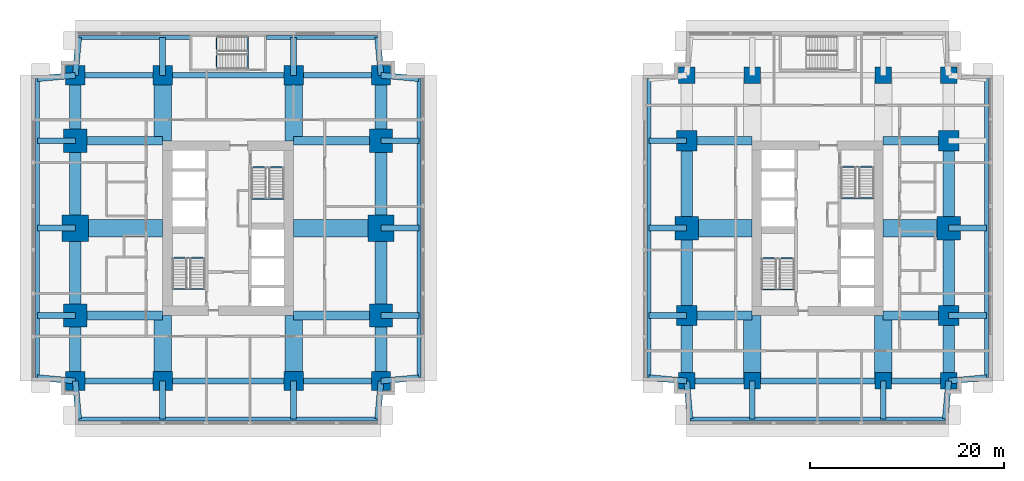
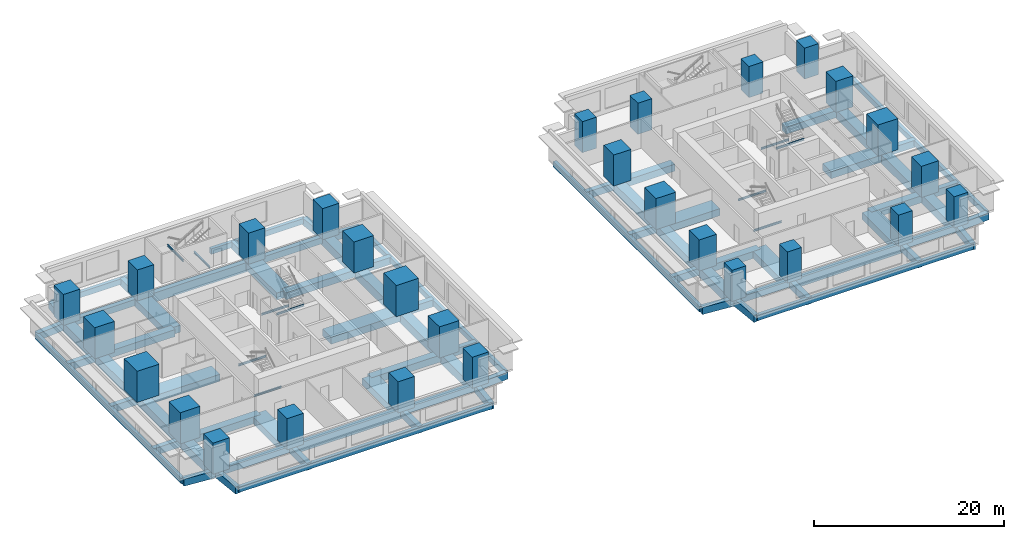
# One storey, part 1 of 11: 88 beams, 28 columns.
"""IFC4 building model written with IfcOpenShell, lengths in metres."""

import ifcopenshell
import ifcopenshell.guid

model = None  # the IFC model being written
_history = None  # IfcOwnerHistory: only IFC2X3 demands one
_inside = {}  # id of a spatial element -> (the spatial element, [elements in it])
_under = {}  # id of a project, library or spatial element -> (it, [spatial elements below it])
_declared = {}  # id of a project -> (the project, [libraries it declares])
_typed = {}  # id of a type object -> (the type object, [elements of that type])
_made_of = {}  # id of a material, layer set ... -> (it, [elements and type objects made of it])


def new_model(schema):
    """Start an empty IFC model of exactly this schema.

    Asked for "IFC4X3", IfcOpenShell would pick the latest addendum, in which some entities
    have other attributes; the version numbers below select the first issue.
    IFC2X3 requires an IfcOwnerHistory on every rooted entity: one is made here for all.
    """
    global model, _history
    if schema == "IFC4X3":
        model = ifcopenshell.file(schema_version=(4, 3, 0, 0))
    else:
        model = ifcopenshell.file(schema=schema)
    _inside.clear()
    _under.clear()
    _declared.clear()
    _typed.clear()
    _made_of.clear()
    _history = None
    if model.schema == "IFC2X3":
        org = make("IfcOrganization", Name="unknown")
        user = make(
            "IfcPersonAndOrganization",
            ThePerson=make("IfcPerson", FamilyName="unknown"),
            TheOrganization=org,
        )
        app = make(
            "IfcApplication",
            ApplicationDeveloper=org,
            Version="unknown",
            ApplicationFullName="unknown",
            ApplicationIdentifier="unknown",
        )
        _history = make(
            "IfcOwnerHistory",
            OwningUser=user,
            OwningApplication=app,
            ChangeAction="ADDED",
            CreationDate=0,
        )
    return model


def make(cls, **values):
    """One entity of the class cls with the attributes given. An attribute that is None is left unset."""
    return model.create_entity(
        cls, **{name: value for name, value in values.items() if value is not None}
    )


def rooted(cls, **values):
    """An entity with a GlobalId (a new one), such as an element, a storey or a relation."""
    return make(cls, GlobalId=ifcopenshell.guid.new(), OwnerHistory=_history, **values)


def si_unit(unit_type, name, prefix=None):
    """IfcSIUnit, for example si_unit("LENGTHUNIT", "METRE", prefix="MILLI")."""
    return make("IfcSIUnit", UnitType=unit_type, Prefix=prefix, Name=name)


def assignment(units):
    """IfcUnitAssignment: the units of a project."""
    return None if units is None else make("IfcUnitAssignment", Units=units)


def point(xyz):
    """IfcCartesianPoint."""
    return None if xyz is None else make("IfcCartesianPoint", Coordinates=xyz)


def direction(xyz):
    """IfcDirection."""
    return None if xyz is None else make("IfcDirection", DirectionRatios=xyz)


def frame(location, z_axis=None, x_axis=None):
    """IfcAxis2Placement3D, a coordinate frame: its origin and axes. An axis left out is left unset."""
    return make(
        "IfcAxis2Placement3D",
        Location=point(location),
        Axis=direction(z_axis),
        RefDirection=direction(x_axis),
    )


def frame_2d(location, x_axis=None):
    """IfcAxis2Placement2D, a coordinate frame in the plane: its origin and x axis."""
    return make(
        "IfcAxis2Placement2D", Location=point(location), RefDirection=direction(x_axis)
    )


def origin():
    """The frame at (0, 0, 0) with its axes left unset."""
    return frame((0.0, 0.0, 0.0))


def origin_2d():
    """The frame at (0, 0) in the plane with its x axis left unset."""
    return frame_2d((0.0, 0.0))


def place(relative_to, where):
    """IfcLocalPlacement: puts the frame where relative to a parent placement (None: the world)."""
    return make(
        "IfcLocalPlacement", PlacementRelTo=relative_to, RelativePlacement=where
    )


def context(
    kind, dimensions, precision=None, world=None, true_north=None, identifier=None
):
    """IfcGeometricRepresentationContext, for example the 3D "Model" context."""
    return make(
        "IfcGeometricRepresentationContext",
        ContextIdentifier=identifier,
        ContextType=kind,
        CoordinateSpaceDimension=dimensions,
        Precision=precision,
        WorldCoordinateSystem=world,
        TrueNorth=true_north,
    )


def subcontext(parent, identifier, kind, view, scale=None):
    """IfcGeometricRepresentationSubContext, for example "Body" below "Model"."""
    return make(
        "IfcGeometricRepresentationSubContext",
        ContextIdentifier=identifier,
        ContextType=kind,
        ParentContext=parent,
        TargetScale=scale,
        TargetView=view,
    )


def project(units=None, contexts=None):
    """IfcProject with its units and contexts."""
    return rooted(
        "IfcProject",
        Name="project",
        RepresentationContexts=contexts,
        UnitsInContext=assignment(units),
    )


def spatial(cls, under=None, at=None, **own):
    """A site, building, storey or space (cls), placed at a placement, below another one or the project."""
    s = rooted(cls, ObjectPlacement=at, **own)
    if under is not None:
        _under.setdefault(under.id(), (under, []))[1].append(s)
    return s


def profile(cls, at=None, kind="AREA", **sizes):
    """A parametric profile (cls). Its sizes go by their IFC names, for example OverallWidth=200.0."""
    return make(cls, ProfileType=kind, Position=at, **sizes)


def rectangle(**sizes):
    """IfcRectangleProfileDef."""
    return profile("IfcRectangleProfileDef", **sizes)


def i_section(**sizes):
    """IfcIShapeProfileDef."""
    return profile("IfcIShapeProfileDef", **sizes)


def extrude(swept, where, along, depth):
    """IfcExtrudedAreaSolid: the profile swept, set in the frame where, extruded along a direction by depth."""
    return make(
        "IfcExtrudedAreaSolid",
        SweptArea=swept,
        Position=where,
        ExtrudedDirection=direction(along),
        Depth=depth,
    )


def shape(context_of_items, identifier, shape_type, items):
    """IfcShapeRepresentation: the items that make up one representation, for example the "Body"."""
    return make(
        "IfcShapeRepresentation",
        ContextOfItems=context_of_items,
        RepresentationIdentifier=identifier,
        RepresentationType=shape_type,
        Items=items,
    )


def material(Name=None, Category=None):
    """IfcMaterial."""
    return make("IfcMaterial", Name=Name, Category=Category)


def material_profile(
    of_material, cross_section, Name=None, Category=None, Priority=None
):
    """IfcMaterialProfile: a cross section and its material."""
    return make(
        "IfcMaterialProfile",
        Name=Name,
        Material=of_material,
        Profile=cross_section,
        Priority=Priority,
        Category=Category,
    )


def profile_set(profiles, Name=None, composite=None):
    """IfcMaterialProfileSet."""
    return make(
        "IfcMaterialProfileSet",
        Name=Name,
        MaterialProfiles=profiles,
        CompositeProfile=composite,
    )


def made_of(thing, what):
    """Note that an element or type object is made of a material, layer set ...; save() writes the relation."""
    if what is not None:
        _made_of.setdefault(what.id(), (what, []))[1].append(thing)
    return thing


def type_object(cls, material=None, **own):
    """A type object (cls), such as IfcWallType, which elements share."""
    return made_of(rooted(cls, **own), material)


def element(
    cls,
    number,
    at=None,
    inside=None,
    cuts=None,
    type_object=None,
    material=None,
    context=None,
    identifier="Body",
    shape_type=None,
    held_by="IfcProductDefinitionShape",
    body=None,
    shapes=None,
    **own,
):
    """One element of the class cls, such as IfcWall. Its Tag is "e" and its number.

    at: its placement. inside: the storey or other place that contains it. cuts: it is an
    opening in that element (IfcRelVoidsElement). A single representation is given by context,
    identifier, shape_type and body (its items); several are given by shapes. held_by: the class
    of the entity that holds the representations. save() writes the other relations.
    """
    e = rooted(cls, Tag="e%d" % number, ObjectPlacement=at, **own)
    if body is not None:
        shapes = [shape(context, identifier, shape_type, body)]
    if shapes is not None:
        e.Representation = make(held_by, Representations=shapes)
    if inside is not None:
        _inside.setdefault(inside.id(), (inside, []))[1].append(e)
    if cuts is not None:
        rooted(
            "IfcRelVoidsElement", RelatingBuildingElement=cuts, RelatedOpeningElement=e
        )
    if type_object is not None:
        _typed.setdefault(type_object.id(), (type_object, []))[1].append(e)
    return made_of(e, material)


def aggregate(whole, parts):
    """IfcRelAggregates: a whole, such as a stair, and the parts it consists of."""
    return rooted("IfcRelAggregates", RelatingObject=whole, RelatedObjects=parts)


def save(model, path):
    """Write the relations noted so far, then the file.

    IfcRelAggregates (storeys below a building ...), IfcRelContainedInSpatialStructure (elements
    in a storey), IfcRelDefinesByType, IfcRelAssociatesMaterial and IfcRelDeclares: one each for
    every whole, place, type object, material and project.
    """
    for whole, parts in _under.values():
        aggregate(whole, parts)
    for where, things in _inside.values():
        rooted(
            "IfcRelContainedInSpatialStructure",
            RelatedElements=things,
            RelatingStructure=where,
        )
    for kind, things in _typed.values():
        rooted("IfcRelDefinesByType", RelatedObjects=things, RelatingType=kind)
    for what, things in _made_of.values():
        rooted("IfcRelAssociatesMaterial", RelatedObjects=things, RelatingMaterial=what)
    for by, libraries in _declared.values():
        rooted("IfcRelDeclares", RelatingContext=by, RelatedDefinitions=libraries)
    model.write(path)


model = new_model("IFC4")

# Units and contexts
model_context = context("Model", 3, precision=1e-05, world=origin(), true_north=direction((0.0, 1.0)))
body_context = subcontext(model_context, "Body", "Model", "MODEL_VIEW")
ifc_project = project(units=[si_unit("LENGTHUNIT", "METRE"), si_unit("AREAUNIT", "SQUARE_METRE"), si_unit("VOLUMEUNIT", "CUBIC_METRE"), si_unit("PLANEANGLEUNIT", "RADIAN"), si_unit("MASSUNIT", "GRAM", prefix="KILO")], contexts=[model_context])

# Site, building, storey
site_placement = place(None, origin())
site = spatial("IfcSite", under=ifc_project, at=site_placement, CompositionType="ELEMENT")
building_placement = place(site_placement, origin())
building = spatial("IfcBuilding", under=site, at=building_placement, Name="Namib Vertical Campus", CompositionType="ELEMENT")
storey_placement = place(building_placement, frame((0.0, 0.0, 69.0)))
storey = spatial("IfcBuildingStorey", under=building, at=storey_placement, Name="L16", CompositionType="ELEMENT", Elevation=69.0)

# Columns
ifc_material_1 = material(Name="Concrete C60/75", Category="concrete")
ifc_material_profile_1 = material_profile(ifc_material_1, rectangle(XDim=1.699951171875, YDim=1.699951171875, at=origin_2d()))
ifc_profile_set_1 = profile_set([ifc_material_profile_1], Name="Concrete C60/75")
column_type_1 = type_object("IfcColumnType", Name="Column RC 1700x1700", PredefinedType="COLUMN", material=ifc_profile_set_1)
for number, where, z_axis, x_axis, name in (
    (1, (67.5, 4.5, 0.0), (0.0, 0.0, 1.0), (1.0, 0.0, 0.0), "Column C170 L16"),
    (2, (74.25, 4.5, 0.0), (0.0, 0.0, 1.0), (1.0, 0.0, 0.0), "Column C170 L16"),
    (3, (87.75, 4.5, 0.0), (0.0, 0.0, 1.0), (1.0, 0.0, 0.0), "Column C170 L16"),
    (4, (94.5, 4.5, 0.0), (0.0, 0.0, 1.0), (1.0, 0.0, 0.0), "Column C170 L16"),
    (5, (67.5, 36.0, 0.0), (0.0, 0.0, 1.0), (1.0, 0.0, 0.0), "Column C170 L16"),
    (6, (74.25, 36.0, 0.0), (0.0, 0.0, 1.0), (1.0, 0.0, 0.0), "Column C170 L16"),
    (7, (87.75, 36.0, 0.0), (0.0, 0.0, 1.0), (1.0, 0.0, 0.0), "Column C170 L16"),
    (8, (94.5, 36.0, 0.0), (0.0, 0.0, 1.0), (1.0, 0.0, 0.0), "Column C170 L16"),
):
    element("IfcColumn", number, at=place(storey_placement, frame(where, z_axis=z_axis, x_axis=x_axis)), inside=storey, type_object=column_type_1, Name=name, PredefinedType="COLUMN", context=body_context, shape_type="SweptSolid", body=[
        extrude(rectangle(XDim=1.699951171875, YDim=1.699951171875, at=origin_2d()), origin(), (0.0, 0.0, 1.0), 4.0),
    ])
ifc_material_2 = material(Name="Concrete C60/75", Category="concrete")
ifc_material_profile_2 = material_profile(ifc_material_2, rectangle(XDim=2.0, YDim=2.0, at=origin_2d()))
ifc_profile_set_2 = profile_set([ifc_material_profile_2], Name="Concrete C60/75")
column_type_2 = type_object("IfcColumnType", Name="Column RC 2000x2000", PredefinedType="COLUMN", material=ifc_profile_set_2)
for number, where, z_axis, x_axis, name in (
    (9, (4.5, 4.5, 0.0), (0.0, 0.0, 1.0), (1.0, 0.0, 0.0), "Column C200 L16"),
    (10, (13.5, 4.5, 0.0), (0.0, 0.0, 1.0), (1.0, 0.0, 0.0), "Column C200 L16"),
    (11, (27.0, 4.5, 0.0), (0.0, 0.0, 1.0), (1.0, 0.0, 0.0), "Column C200 L16"),
    (12, (36.0, 4.5, 0.0), (0.0, 0.0, 1.0), (1.0, 0.0, 0.0), "Column C200 L16"),
    (13, (4.5, 36.0, 0.0), (0.0, 0.0, 1.0), (1.0, 0.0, 0.0), "Column C200 L16"),
    (14, (13.5, 36.0, 0.0), (0.0, 0.0, 1.0), (1.0, 0.0, 0.0), "Column C200 L16"),
    (15, (27.0, 36.0, 0.0), (0.0, 0.0, 1.0), (1.0, 0.0, 0.0), "Column C200 L16"),
    (16, (36.0, 36.0, 0.0), (0.0, 0.0, 1.0), (1.0, 0.0, 0.0), "Column C200 L16"),
):
    element("IfcColumn", number, at=place(storey_placement, frame(where, z_axis=z_axis, x_axis=x_axis)), inside=storey, type_object=column_type_2, Name=name, PredefinedType="COLUMN", context=body_context, shape_type="SweptSolid", body=[
        extrude(rectangle(XDim=2.0, YDim=2.0, at=origin_2d()), origin(), (0.0, 0.0, 1.0), 4.0),
    ])
ifc_material_3 = material(Name="Concrete C60/75", Category="concrete")
ifc_material_profile_3 = material_profile(ifc_material_3, rectangle(XDim=2.10009765625, YDim=2.10009765625, at=origin_2d()))
ifc_profile_set_3 = profile_set([ifc_material_profile_3], Name="Concrete C60/75")
column_type_3 = type_object("IfcColumnType", Name="Column RC 2100x2100", PredefinedType="COLUMN", material=ifc_profile_set_3)
for number, where, z_axis, x_axis, name in (
    (17, (67.5, 11.25, 0.0), (0.0, 0.0, 1.0), (1.0, 0.0, 0.0), "Column C210 L16"),
    (18, (94.5, 11.25, 0.0), (0.0, 0.0, 1.0), (1.0, 0.0, 0.0), "Column C210 L16"),
    (19, (67.5, 29.25, 0.0), (0.0, 0.0, 1.0), (1.0, 0.0, 0.0), "Column C210 L16"),
    (20, (94.5, 29.25, 0.0), (0.0, 0.0, 1.0), (1.0, 0.0, 0.0), "Column C210 L16"),
):
    element("IfcColumn", number, at=place(storey_placement, frame(where, z_axis=z_axis, x_axis=x_axis)), inside=storey, type_object=column_type_3, Name=name, PredefinedType="COLUMN", context=body_context, shape_type="SweptSolid", body=[
        extrude(rectangle(XDim=2.10009765625, YDim=2.10009765625, at=origin_2d()), origin(), (0.0, 0.0, 1.0), 4.0),
    ])
ifc_material_4 = material(Name="Concrete C60/75", Category="concrete")
ifc_material_profile_4 = material_profile(ifc_material_4, rectangle(XDim=2.39990234375, YDim=2.39990234375, at=origin_2d()))
ifc_profile_set_4 = profile_set([ifc_material_profile_4], Name="Concrete C60/75")
column_type_4 = type_object("IfcColumnType", Name="Column RC 2400x2400", PredefinedType="COLUMN", material=ifc_profile_set_4)
for number, where, z_axis, x_axis, name in (
    (21, (4.5, 11.25, 0.0), (0.0, 0.0, 1.0), (1.0, 0.0, 0.0), "Column C240 L16"),
    (22, (36.0, 11.25, 0.0), (0.0, 0.0, 1.0), (1.0, 0.0, 0.0), "Column C240 L16"),
    (23, (4.5, 29.25, 0.0), (0.0, 0.0, 1.0), (1.0, 0.0, 0.0), "Column C240 L16"),
    (24, (36.0, 29.25, 0.0), (0.0, 0.0, 1.0), (1.0, 0.0, 0.0), "Column C240 L16"),
    (25, (67.5, 20.25, 0.0), (0.0, 0.0, 1.0), (1.0, 0.0, 0.0), "Column C240 L16"),
    (26, (94.5, 20.25, 0.0), (0.0, 0.0, 1.0), (1.0, 0.0, 0.0), "Column C240 L16"),
):
    element("IfcColumn", number, at=place(storey_placement, frame(where, z_axis=z_axis, x_axis=x_axis)), inside=storey, type_object=column_type_4, Name=name, PredefinedType="COLUMN", context=body_context, shape_type="SweptSolid", body=[
        extrude(rectangle(XDim=2.39990234375, YDim=2.39990234375, at=origin_2d()), origin(), (0.0, 0.0, 1.0), 4.0),
    ])
ifc_material_5 = material(Name="Concrete C60/75", Category="concrete")
ifc_material_profile_5 = material_profile(ifc_material_5, rectangle(XDim=2.699951171875, YDim=2.699951171875, at=origin_2d()))
ifc_profile_set_5 = profile_set([ifc_material_profile_5], Name="Concrete C60/75")
column_type_5 = type_object("IfcColumnType", Name="Column RC 2700x2700", PredefinedType="COLUMN", material=ifc_profile_set_5)
for number, where, z_axis, x_axis, name in (
    (27, (4.5, 20.25, 0.0), (0.0, 0.0, 1.0), (1.0, 0.0, 0.0), "Column C270 L16"),
    (28, (36.0, 20.25, 0.0), (0.0, 0.0, 1.0), (1.0, 0.0, 0.0), "Column C270 L16"),
):
    element("IfcColumn", number, at=place(storey_placement, frame(where, z_axis=z_axis, x_axis=x_axis)), inside=storey, type_object=column_type_5, Name=name, PredefinedType="COLUMN", context=body_context, shape_type="SweptSolid", body=[
        extrude(rectangle(XDim=2.699951171875, YDim=2.699951171875, at=origin_2d()), origin(), (0.0, 0.0, 1.0), 4.0),
    ])

# Beams
ifc_material_6 = material(Name="Concrete C40/50", Category="concrete")
ifc_material_profile_6 = material_profile(ifc_material_6, rectangle(XDim=0.60009765625, YDim=0.89990234375, at=origin_2d()))
ifc_profile_set_6 = profile_set([ifc_material_profile_6], Name="Concrete C40/50")
beam_type_1 = type_object("IfcBeamType", Name="Cantilever girder RC 600x900", PredefinedType="BEAM", material=ifc_profile_set_6)
beam_1_placement = place(storey_placement, frame((4.5, 4.5, -0.699951171875), z_axis=(0.089411326146, -0.995994786511, 0.0), x_axis=(0.995994786511, 0.089411326146, 0.0)))
element("IfcBeam", 29, at=beam_1_placement, inside=storey, type_object=beam_type_1, Name="Beam B3 L16", PredefinedType="BEAM", context=body_context, shape_type="SweptSolid", body=[
    extrude(rectangle(XDim=0.60009765625, YDim=0.89990234375, at=origin_2d()), origin(), (0.0, 0.0, 1.0), 3.91552734375),
])
for number, where, z_axis, x_axis, name in (
    (30, (13.5, 4.5, -0.699951171875), (0.0, -1.0, 0.0), (1.0, 0.0, 0.0), "Beam B3 L16"),
    (31, (27.0, 4.5, -0.699951171875), (0.0, -1.0, 0.0), (1.0, 0.0, 0.0), "Beam B3 L16"),
):
    element("IfcBeam", number, at=place(storey_placement, frame(where, z_axis=z_axis, x_axis=x_axis)), inside=storey, type_object=beam_type_1, Name=name, PredefinedType="BEAM", context=body_context, shape_type="SweptSolid", body=[
        extrude(rectangle(XDim=0.60009765625, YDim=0.89990234375, at=origin_2d()), origin(), (0.0, 0.0, 1.0), 3.89990234375),
    ])
for number, where, z_axis, x_axis, name in (
    (32, (36.0, 4.5, -0.699951171875), (-0.089411326146, -0.995994786511, 0.0), (0.995994786511, -0.089411326146, 0.0), "Beam B3 L16"),
    (33, (4.5, 36.0, -0.699951171875), (0.089411326146, 0.995994786511, 0.0), (-0.995994786511, 0.089411326146, 0.0), "Beam B3 L16"),
):
    element("IfcBeam", number, at=place(storey_placement, frame(where, z_axis=z_axis, x_axis=x_axis)), inside=storey, type_object=beam_type_1, Name=name, PredefinedType="BEAM", context=body_context, shape_type="SweptSolid", body=[
        extrude(rectangle(XDim=0.60009765625, YDim=0.89990234375, at=origin_2d()), origin(), (0.0, 0.0, 1.0), 3.91552734375),
    ])
for number, where, z_axis, x_axis, name in (
    (34, (13.5, 36.0, -0.699951171875), (0.0, 1.0, 0.0), (-1.0, 0.0, 0.0), "Beam B3 L16"),
    (35, (27.0, 36.0, -0.699951171875), (0.0, 1.0, 0.0), (-1.0, 0.0, 0.0), "Beam B3 L16"),
):
    element("IfcBeam", number, at=place(storey_placement, frame(where, z_axis=z_axis, x_axis=x_axis)), inside=storey, type_object=beam_type_1, Name=name, PredefinedType="BEAM", context=body_context, shape_type="SweptSolid", body=[
        extrude(rectangle(XDim=0.60009765625, YDim=0.89990234375, at=origin_2d()), origin(), (0.0, 0.0, 1.0), 3.89990234375),
    ])
for number, where, z_axis, x_axis, name in (
    (36, (36.0, 36.0, -0.699951171875), (-0.089411326146, 0.995994786511, 0.0), (-0.995994786511, -0.089411326146, 0.0), "Beam B3 L16"),
    (37, (4.5, 4.5, -0.699951171875), (-0.995994786511, 0.089411326146, 0.0), (-0.089411326146, -0.995994786511, 0.0), "Beam B3 L16"),
):
    element("IfcBeam", number, at=place(storey_placement, frame(where, z_axis=z_axis, x_axis=x_axis)), inside=storey, type_object=beam_type_1, Name=name, PredefinedType="BEAM", context=body_context, shape_type="SweptSolid", body=[
        extrude(rectangle(XDim=0.60009765625, YDim=0.89990234375, at=origin_2d()), origin(), (0.0, 0.0, 1.0), 3.91552734375),
    ])
for number, where, z_axis, x_axis, name in (
    (38, (4.5, 11.25, -0.699951171875), (-1.0, 0.0, 0.0), (0.0, -1.0, 0.0), "Beam B3 L16"),
    (39, (4.5, 20.25, -0.699951171875), (-1.0, 0.0, 0.0), (0.0, -1.0, 0.0), "Beam B3 L16"),
    (40, (4.5, 29.25, -0.699951171875), (-1.0, 0.0, 0.0), (0.0, -1.0, 0.0), "Beam B3 L16"),
):
    element("IfcBeam", number, at=place(storey_placement, frame(where, z_axis=z_axis, x_axis=x_axis)), inside=storey, type_object=beam_type_1, Name=name, PredefinedType="BEAM", context=body_context, shape_type="SweptSolid", body=[
        extrude(rectangle(XDim=0.60009765625, YDim=0.89990234375, at=origin_2d()), origin(), (0.0, 0.0, 1.0), 3.89990234375),
    ])
for number, where, z_axis, x_axis, name in (
    (41, (4.5, 36.0, -0.699951171875), (-0.995994786511, -0.089411326146, 0.0), (0.089411326146, -0.995994786511, 0.0), "Beam B3 L16"),
    (42, (36.0, 4.5, -0.699951171875), (0.995994786511, 0.089411326146, 0.0), (-0.089411326146, 0.995994786511, 0.0), "Beam B3 L16"),
):
    element("IfcBeam", number, at=place(storey_placement, frame(where, z_axis=z_axis, x_axis=x_axis)), inside=storey, type_object=beam_type_1, Name=name, PredefinedType="BEAM", context=body_context, shape_type="SweptSolid", body=[
        extrude(rectangle(XDim=0.60009765625, YDim=0.89990234375, at=origin_2d()), origin(), (0.0, 0.0, 1.0), 3.91552734375),
    ])
for number, where, z_axis, x_axis, name in (
    (43, (36.0, 11.25, -0.699951171875), (1.0, 0.0, 0.0), (0.0, 1.0, 0.0), "Beam B3 L16"),
    (44, (36.0, 20.25, -0.699951171875), (1.0, 0.0, 0.0), (0.0, 1.0, 0.0), "Beam B3 L16"),
    (45, (36.0, 29.25, -0.699951171875), (1.0, 0.0, 0.0), (0.0, 1.0, 0.0), "Beam B3 L16"),
):
    element("IfcBeam", number, at=place(storey_placement, frame(where, z_axis=z_axis, x_axis=x_axis)), inside=storey, type_object=beam_type_1, Name=name, PredefinedType="BEAM", context=body_context, shape_type="SweptSolid", body=[
        extrude(rectangle(XDim=0.60009765625, YDim=0.89990234375, at=origin_2d()), origin(), (0.0, 0.0, 1.0), 3.89990234375),
    ])
for number, where, z_axis, x_axis, name in (
    (46, (36.0, 36.0, -0.699951171875), (0.995994786511, -0.089411326146, 0.0), (0.089411326146, 0.995994786511, 0.0), "Beam B3 L16"),
    (47, (67.5, 4.5, -0.699951171875), (0.089411326146, -0.995994786511, 0.0), (0.995994786511, 0.089411326146, 0.0), "Beam B3 L16"),
):
    element("IfcBeam", number, at=place(storey_placement, frame(where, z_axis=z_axis, x_axis=x_axis)), inside=storey, type_object=beam_type_1, Name=name, PredefinedType="BEAM", context=body_context, shape_type="SweptSolid", body=[
        extrude(rectangle(XDim=0.60009765625, YDim=0.89990234375, at=origin_2d()), origin(), (0.0, 0.0, 1.0), 3.91552734375),
    ])
for number, where, z_axis, x_axis, name in (
    (48, (74.25, 4.5, -0.699951171875), (0.0, -1.0, 0.0), (1.0, 0.0, 0.0), "Beam B3 L16"),
    (49, (87.75, 4.5, -0.699951171875), (0.0, -1.0, 0.0), (1.0, 0.0, 0.0), "Beam B3 L16"),
):
    element("IfcBeam", number, at=place(storey_placement, frame(where, z_axis=z_axis, x_axis=x_axis)), inside=storey, type_object=beam_type_1, Name=name, PredefinedType="BEAM", context=body_context, shape_type="SweptSolid", body=[
        extrude(rectangle(XDim=0.60009765625, YDim=0.89990234375, at=origin_2d()), origin(), (0.0, 0.0, 1.0), 3.89990234375),
    ])
for number, where, z_axis, x_axis, name in (
    (50, (94.5, 4.5, -0.699951171875), (-0.089411326146, -0.995994786511, 0.0), (0.995994786511, -0.089411326146, 0.0), "Beam B3 L16"),
    (51, (67.5, 4.5, -0.699951171875), (-0.995994786511, 0.089411326146, 0.0), (-0.089411326146, -0.995994786511, 0.0), "Beam B3 L16"),
):
    element("IfcBeam", number, at=place(storey_placement, frame(where, z_axis=z_axis, x_axis=x_axis)), inside=storey, type_object=beam_type_1, Name=name, PredefinedType="BEAM", context=body_context, shape_type="SweptSolid", body=[
        extrude(rectangle(XDim=0.60009765625, YDim=0.89990234375, at=origin_2d()), origin(), (0.0, 0.0, 1.0), 3.91552734375),
    ])
for number, where, z_axis, x_axis, name in (
    (52, (67.5, 11.25, -0.699951171875), (-1.0, 0.0, 0.0), (0.0, -1.0, 0.0), "Beam B3 L16"),
    (53, (67.5, 20.25, -0.699951171875), (-1.0, 0.0, 0.0), (0.0, -1.0, 0.0), "Beam B3 L16"),
    (54, (67.5, 29.25, -0.699951171875), (-1.0, 0.0, 0.0), (0.0, -1.0, 0.0), "Beam B3 L16"),
):
    element("IfcBeam", number, at=place(storey_placement, frame(where, z_axis=z_axis, x_axis=x_axis)), inside=storey, type_object=beam_type_1, Name=name, PredefinedType="BEAM", context=body_context, shape_type="SweptSolid", body=[
        extrude(rectangle(XDim=0.60009765625, YDim=0.89990234375, at=origin_2d()), origin(), (0.0, 0.0, 1.0), 3.89990234375),
    ])
beam_2_placement = place(storey_placement, frame((94.5, 4.5, -0.699951171875), z_axis=(0.995994786511, 0.089411326146, 0.0), x_axis=(-0.089411326146, 0.995994786511, 0.0)))
element("IfcBeam", 55, at=beam_2_placement, inside=storey, type_object=beam_type_1, Name="Beam B3 L16", PredefinedType="BEAM", context=body_context, shape_type="SweptSolid", body=[
    extrude(rectangle(XDim=0.60009765625, YDim=0.89990234375, at=origin_2d()), origin(), (0.0, 0.0, 1.0), 3.91552734375),
])
for number, where, z_axis, x_axis, name in (
    (56, (94.5, 11.25, -0.699951171875), (1.0, 0.0, 0.0), (0.0, 1.0, 0.0), "Beam B3 L16"),
    (57, (94.5, 20.25, -0.699951171875), (1.0, 0.0, 0.0), (0.0, 1.0, 0.0), "Beam B3 L16"),
):
    element("IfcBeam", number, at=place(storey_placement, frame(where, z_axis=z_axis, x_axis=x_axis)), inside=storey, type_object=beam_type_1, Name=name, PredefinedType="BEAM", context=body_context, shape_type="SweptSolid", body=[
        extrude(rectangle(XDim=0.60009765625, YDim=0.89990234375, at=origin_2d()), origin(), (0.0, 0.0, 1.0), 3.89990234375),
    ])
ifc_material_7 = material(Name="Concrete C40/50", Category="concrete")
ifc_material_profile_7 = material_profile(ifc_material_7, rectangle(XDim=0.39990234375, YDim=0.699951171875, at=origin_2d()))
ifc_profile_set_7 = profile_set([ifc_material_profile_7], Name="Concrete C40/50")
beam_type_2 = type_object("IfcBeamType", Name="Edge beam RC 400x700", PredefinedType="SPANDREL", material=ifc_profile_set_7)
beam_3_placement = place(storey_placement, frame((4.85009765625, 0.60009765625, -0.60009765625), z_axis=(1.0, 0.0, 0.0), x_axis=(0.0, 1.0, 0.0)))
element("IfcBeam", 58, at=beam_3_placement, inside=storey, type_object=beam_type_2, Name="Beam B4 L16", PredefinedType="SPANDREL", context=body_context, shape_type="SweptSolid", body=[
    extrude(rectangle(XDim=0.39990234375, YDim=0.699951171875, at=origin_2d()), origin(), (0.0, 0.0, 1.0), 30.7998046875),
])
for number, where, z_axis, x_axis, name in (
    (59, (4.85009765625, 39.89990234375, -0.60009765625), (1.0, 0.0, 0.0), (0.0, 1.0, 0.0), "Beam B4 L16"),
    (60, (24.199951171875, 39.89990234375, -0.60009765625), (1.0, 0.0, 0.0), (0.0, 1.0, 0.0), "Beam B4 L16"),
):
    element("IfcBeam", number, at=place(storey_placement, frame(where, z_axis=z_axis, x_axis=x_axis)), inside=storey, type_object=beam_type_2, Name=name, PredefinedType="SPANDREL", context=body_context, shape_type="SweptSolid", body=[
        extrude(rectangle(XDim=0.39990234375, YDim=0.699951171875, at=origin_2d()), origin(), (0.0, 0.0, 1.0), 11.449951171875),
    ])
for number, where, z_axis, x_axis, name in (
    (61, (0.60009765625, 4.85009765625, -0.60009765625), (0.0, 1.0, 0.0), (-1.0, 0.0, 0.0), "Beam B4 L16"),
    (62, (39.89990234375, 4.85009765625, -0.60009765625), (0.0, 1.0, 0.0), (-1.0, 0.0, 0.0), "Beam B4 L16"),
):
    element("IfcBeam", number, at=place(storey_placement, frame(where, z_axis=z_axis, x_axis=x_axis)), inside=storey, type_object=beam_type_2, Name=name, PredefinedType="SPANDREL", context=body_context, shape_type="SweptSolid", body=[
        extrude(rectangle(XDim=0.39990234375, YDim=0.699951171875, at=origin_2d()), origin(), (0.0, 0.0, 1.0), 30.7998046875),
    ])
beam_4_placement = place(storey_placement, frame((67.85009765625, 0.60009765625, -0.60009765625), z_axis=(1.0, 0.0, 0.0), x_axis=(0.0, 1.0, 0.0)))
element("IfcBeam", 63, at=beam_4_placement, inside=storey, type_object=beam_type_2, Name="Beam B4 L16", PredefinedType="SPANDREL", context=body_context, shape_type="SweptSolid", body=[
    extrude(rectangle(XDim=0.39990234375, YDim=0.699951171875, at=origin_2d()), origin(), (0.0, 0.0, 1.0), 26.2998046875),
])
for number, where, z_axis, x_axis, name in (
    (64, (63.60009765625, 4.85009765625, -0.60009765625), (0.0, 1.0, 0.0), (-1.0, 0.0, 0.0), "Beam B4 L16"),
    (65, (98.39990234375, 4.85009765625, -0.60009765625), (0.0, 1.0, 0.0), (-1.0, 0.0, 0.0), "Beam B4 L16"),
):
    element("IfcBeam", number, at=place(storey_placement, frame(where, z_axis=z_axis, x_axis=x_axis)), inside=storey, type_object=beam_type_2, Name=name, PredefinedType="SPANDREL", context=body_context, shape_type="SweptSolid", body=[
        extrude(rectangle(XDim=0.39990234375, YDim=0.699951171875, at=origin_2d()), origin(), (0.0, 0.0, 1.0), 30.7998046875),
    ])
ifc_material_8 = material(Name="Concrete C40/50", Category="concrete")
ifc_material_profile_8 = material_profile(ifc_material_8, rectangle(XDim=0.89990234375, YDim=0.89990234375, at=origin_2d()))
ifc_profile_set_8 = profile_set([ifc_material_profile_8], Name="Concrete C40/50")
beam_type_3 = type_object("IfcBeamType", Name="Face girder RC 900x900", PredefinedType="BEAM", material=ifc_profile_set_8)
for number, where, z_axis, x_axis, name in (
    (66, (4.5, 11.25, -0.699951171875), (1.0, 0.0, 0.0), (0.0, 1.0, 0.0), "Beam B10 L16"),
    (67, (36.0, 11.25, -0.699951171875), (-1.0, 0.0, 0.0), (0.0, -1.0, 0.0), "Beam B10 L16"),
    (68, (4.5, 29.25, -0.699951171875), (1.0, 0.0, 0.0), (0.0, 1.0, 0.0), "Beam B10 L16"),
    (69, (36.0, 29.25, -0.699951171875), (-1.0, 0.0, 0.0), (0.0, -1.0, 0.0), "Beam B10 L16"),
):
    element("IfcBeam", number, at=place(storey_placement, frame(where, z_axis=z_axis, x_axis=x_axis)), inside=storey, type_object=beam_type_3, Name=name, PredefinedType="BEAM", context=body_context, shape_type="SweptSolid", body=[
        extrude(rectangle(XDim=0.89990234375, YDim=0.89990234375, at=origin_2d()), origin(), (0.0, 0.0, 1.0), 9.0),
    ])
for number, where, z_axis, x_axis, name in (
    (70, (67.5, 11.25, -0.699951171875), (1.0, 0.0, 0.0), (0.0, 1.0, 0.0), "Beam B10 L16"),
    (71, (94.5, 11.25, -0.699951171875), (-1.0, 0.0, 0.0), (0.0, -1.0, 0.0), "Beam B10 L16"),
    (72, (67.5, 29.25, -0.699951171875), (1.0, 0.0, 0.0), (0.0, 1.0, 0.0), "Beam B10 L16"),
    (73, (94.5, 29.25, -0.699951171875), (-1.0, 0.0, 0.0), (0.0, -1.0, 0.0), "Beam B10 L16"),
):
    element("IfcBeam", number, at=place(storey_placement, frame(where, z_axis=z_axis, x_axis=x_axis)), inside=storey, type_object=beam_type_3, Name=name, PredefinedType="BEAM", context=body_context, shape_type="SweptSolid", body=[
        extrude(rectangle(XDim=0.89990234375, YDim=0.89990234375, at=origin_2d()), origin(), (0.0, 0.0, 1.0), 6.75),
    ])
ifc_material_9 = material(Name="Concrete C40/50", Category="concrete")
ifc_material_profile_9 = material_profile(ifc_material_9, rectangle(XDim=1.199951171875, YDim=1.10009765625, at=origin_2d()))
ifc_profile_set_9 = profile_set([ifc_material_profile_9], Name="Concrete C40/50")
beam_type_4 = type_object("IfcBeamType", Name="Face ring beam RC 1200x1100", PredefinedType="BEAM", material=ifc_profile_set_9)
beam_5_placement = place(storey_placement, frame((4.5, 4.5, -0.800048828125), z_axis=(0.0, 1.0, 0.0), x_axis=(-1.0, 0.0, 0.0)))
element("IfcBeam", 74, at=beam_5_placement, inside=storey, type_object=beam_type_4, Name="Beam B11 L16", PredefinedType="BEAM", context=body_context, shape_type="SweptSolid", body=[
    extrude(rectangle(XDim=1.199951171875, YDim=1.10009765625, at=origin_2d()), origin(), (0.0, 0.0, 1.0), 6.75),
])
for number, where, z_axis, x_axis, name in (
    (75, (4.5, 11.25, -0.800048828125), (0.0, 1.0, 0.0), (-1.0, 0.0, 0.0), "Beam B11 L16"),
    (76, (4.5, 20.25, -0.800048828125), (0.0, 1.0, 0.0), (-1.0, 0.0, 0.0), "Beam B11 L16"),
):
    element("IfcBeam", number, at=place(storey_placement, frame(where, z_axis=z_axis, x_axis=x_axis)), inside=storey, type_object=beam_type_4, Name=name, PredefinedType="BEAM", context=body_context, shape_type="SweptSolid", body=[
        extrude(rectangle(XDim=1.199951171875, YDim=1.10009765625, at=origin_2d()), origin(), (0.0, 0.0, 1.0), 9.0),
    ])
for number, where, z_axis, x_axis, name in (
    (77, (4.5, 29.25, -0.800048828125), (0.0, 1.0, 0.0), (-1.0, 0.0, 0.0), "Beam B11 L16"),
    (78, (36.0, 4.5, -0.800048828125), (0.0, 1.0, 0.0), (-1.0, 0.0, 0.0), "Beam B11 L16"),
):
    element("IfcBeam", number, at=place(storey_placement, frame(where, z_axis=z_axis, x_axis=x_axis)), inside=storey, type_object=beam_type_4, Name=name, PredefinedType="BEAM", context=body_context, shape_type="SweptSolid", body=[
        extrude(rectangle(XDim=1.199951171875, YDim=1.10009765625, at=origin_2d()), origin(), (0.0, 0.0, 1.0), 6.75),
    ])
for number, where, z_axis, x_axis, name in (
    (79, (36.0, 11.25, -0.800048828125), (0.0, 1.0, 0.0), (-1.0, 0.0, 0.0), "Beam B11 L16"),
    (80, (36.0, 20.25, -0.800048828125), (0.0, 1.0, 0.0), (-1.0, 0.0, 0.0), "Beam B11 L16"),
):
    element("IfcBeam", number, at=place(storey_placement, frame(where, z_axis=z_axis, x_axis=x_axis)), inside=storey, type_object=beam_type_4, Name=name, PredefinedType="BEAM", context=body_context, shape_type="SweptSolid", body=[
        extrude(rectangle(XDim=1.199951171875, YDim=1.10009765625, at=origin_2d()), origin(), (0.0, 0.0, 1.0), 9.0),
    ])
for number, where, z_axis, x_axis, name in (
    (81, (36.0, 29.25, -0.800048828125), (0.0, 1.0, 0.0), (-1.0, 0.0, 0.0), "Beam B11 L16"),
    (82, (67.5, 4.5, -0.800048828125), (0.0, 1.0, 0.0), (-1.0, 0.0, 0.0), "Beam B11 L16"),
):
    element("IfcBeam", number, at=place(storey_placement, frame(where, z_axis=z_axis, x_axis=x_axis)), inside=storey, type_object=beam_type_4, Name=name, PredefinedType="BEAM", context=body_context, shape_type="SweptSolid", body=[
        extrude(rectangle(XDim=1.199951171875, YDim=1.10009765625, at=origin_2d()), origin(), (0.0, 0.0, 1.0), 6.75),
    ])
for number, where, z_axis, x_axis, name in (
    (83, (67.5, 11.25, -0.800048828125), (0.0, 1.0, 0.0), (-1.0, 0.0, 0.0), "Beam B11 L16"),
    (84, (67.5, 20.25, -0.800048828125), (0.0, 1.0, 0.0), (-1.0, 0.0, 0.0), "Beam B11 L16"),
):
    element("IfcBeam", number, at=place(storey_placement, frame(where, z_axis=z_axis, x_axis=x_axis)), inside=storey, type_object=beam_type_4, Name=name, PredefinedType="BEAM", context=body_context, shape_type="SweptSolid", body=[
        extrude(rectangle(XDim=1.199951171875, YDim=1.10009765625, at=origin_2d()), origin(), (0.0, 0.0, 1.0), 9.0),
    ])
beam_6_placement = place(storey_placement, frame((94.5, 4.5, -0.800048828125), z_axis=(0.0, 1.0, 0.0), x_axis=(-1.0, 0.0, 0.0)))
element("IfcBeam", 85, at=beam_6_placement, inside=storey, type_object=beam_type_4, Name="Beam B11 L16", PredefinedType="BEAM", context=body_context, shape_type="SweptSolid", body=[
    extrude(rectangle(XDim=1.199951171875, YDim=1.10009765625, at=origin_2d()), origin(), (0.0, 0.0, 1.0), 6.75),
])
for number, where, z_axis, x_axis, name in (
    (86, (94.5, 11.25, -0.800048828125), (0.0, 1.0, 0.0), (-1.0, 0.0, 0.0), "Beam B11 L16"),
    (87, (94.5, 20.25, -0.800048828125), (0.0, 1.0, 0.0), (-1.0, 0.0, 0.0), "Beam B11 L16"),
):
    element("IfcBeam", number, at=place(storey_placement, frame(where, z_axis=z_axis, x_axis=x_axis)), inside=storey, type_object=beam_type_4, Name=name, PredefinedType="BEAM", context=body_context, shape_type="SweptSolid", body=[
        extrude(rectangle(XDim=1.199951171875, YDim=1.10009765625, at=origin_2d()), origin(), (0.0, 0.0, 1.0), 9.0),
    ])
ifc_material_10 = material(Name="Steel S355JR", Category="steel")
ifc_material_profile_10 = material_profile(ifc_material_10, i_section(OverallWidth=0.14599609375, OverallDepth=0.25146484375, WebThickness=0.006103515625, FlangeThickness=0.008544921875, FilletRadius=0.007568359375, at=origin_2d()))
ifc_profile_set_10 = profile_set([ifc_material_profile_10], Name="Steel S355JR")
beam_type_5 = type_object("IfcBeamType", Name="Landing trimmer UB 254x146x31", PredefinedType="BEAM", material=ifc_profile_set_10)
for number, where, z_axis, x_axis, name in (
    (88, (14.5, 13.97705078125, -0.125732421875), (1.0, 0.0, 0.0), (0.0, 1.0, 0.0), "Landing trimmer LT1 A-S1 L16 1"),
    (89, (14.5, 17.203125, 1.874267578125), (1.0, 0.0, 0.0), (0.0, 1.0, 0.0), "Landing trimmer LT1 A-S1 L16 2"),
    (90, (22.64990234375, 26.52294921875, -0.125732421875), (1.0, 0.0, 0.0), (0.0, 1.0, 0.0), "Landing trimmer LT1 A-S2 L16 1"),
    (91, (22.64990234375, 23.296875, 1.874267578125), (1.0, 0.0, 0.0), (0.0, 1.0, 0.0), "Landing trimmer LT1 A-S2 L16 2"),
):
    element("IfcBeam", number, at=place(storey_placement, frame(where, z_axis=z_axis, x_axis=x_axis)), inside=storey, type_object=beam_type_5, Name=name, PredefinedType="BEAM", context=body_context, shape_type="SweptSolid", body=[
        extrude(i_section(OverallWidth=0.14599609375, OverallDepth=0.25146484375, WebThickness=0.006103515625, FlangeThickness=0.008544921875, FilletRadius=0.007568359375, at=origin_2d()), origin(), (0.0, 0.0, 1.0), 3.35009765625),
    ])
for number, where, z_axis, x_axis, name in (
    (92, (75.199951171875, 13.927001953125, -0.125732421875), (1.0, 0.0, 0.0), (0.0, 1.0, 0.0), "Landing trimmer LT1 B-S1 L16 1"),
    (93, (75.199951171875, 17.153076171875, 1.874267578125), (1.0, 0.0, 0.0), (0.0, 1.0, 0.0), "Landing trimmer LT1 B-S1 L16 2"),
    (94, (83.39990234375, 26.572998046875, -0.125732421875), (1.0, 0.0, 0.0), (0.0, 1.0, 0.0), "Landing trimmer LT1 B-S2 L16 1"),
    (95, (83.39990234375, 23.346923828125, 1.874267578125), (1.0, 0.0, 0.0), (0.0, 1.0, 0.0), "Landing trimmer LT1 B-S2 L16 2"),
):
    element("IfcBeam", number, at=place(storey_placement, frame(where, z_axis=z_axis, x_axis=x_axis)), inside=storey, type_object=beam_type_5, Name=name, PredefinedType="BEAM", context=body_context, shape_type="SweptSolid", body=[
        extrude(i_section(OverallWidth=0.14599609375, OverallDepth=0.25146484375, WebThickness=0.006103515625, FlangeThickness=0.008544921875, FilletRadius=0.007568359375, at=origin_2d()), origin(), (0.0, 0.0, 1.0), 3.400146484375),
    ])
for number, where, z_axis, x_axis, name in (
    (96, (22.27294921875, 36.64990234375, -0.125732421875), (0.0, 1.0, 0.0), (-1.0, 0.0, 0.0), "Landing trimmer LT1 A-S3 L16 1"),
    (97, (19.046875, 36.64990234375, 1.874267578125), (0.0, 1.0, 0.0), (-1.0, 0.0, 0.0), "Landing trimmer LT1 A-S3 L16 2"),
):
    element("IfcBeam", number, at=place(storey_placement, frame(where, z_axis=z_axis, x_axis=x_axis)), inside=storey, type_object=beam_type_5, Name=name, PredefinedType="BEAM", context=body_context, shape_type="SweptSolid", body=[
        extrude(i_section(OverallWidth=0.14599609375, OverallDepth=0.25146484375, WebThickness=0.006103515625, FlangeThickness=0.008544921875, FilletRadius=0.007568359375, at=origin_2d()), origin(), (0.0, 0.0, 1.0), 3.35009765625),
    ])
ifc_material_11 = material(Name="Concrete C40/50", Category="concrete")
ifc_material_profile_11 = material_profile(ifc_material_11, rectangle(XDim=0.60009765625, YDim=1.199951171875, at=origin_2d()))
ifc_profile_set_11 = profile_set([ifc_material_profile_11], Name="Concrete C40/50")
beam_type_6 = type_object("IfcBeamType", Name="Long-span ring beam RC 600x1200", PredefinedType="BEAM", material=ifc_profile_set_11)
for number, where, z_axis, x_axis, name in (
    (98, (13.5, 4.5, -0.85009765625), (1.0, 0.0, 0.0), (0.0, 1.0, 0.0), "Beam B9 L16"),
    (99, (13.5, 36.0, -0.85009765625), (1.0, 0.0, 0.0), (0.0, 1.0, 0.0), "Beam B9 L16"),
    (100, (74.25, 4.5, -0.85009765625), (1.0, 0.0, 0.0), (0.0, 1.0, 0.0), "Beam B9 L16"),
):
    element("IfcBeam", number, at=place(storey_placement, frame(where, z_axis=z_axis, x_axis=x_axis)), inside=storey, type_object=beam_type_6, Name=name, PredefinedType="BEAM", context=body_context, shape_type="SweptSolid", body=[
        extrude(rectangle(XDim=0.60009765625, YDim=1.199951171875, at=origin_2d()), origin(), (0.0, 0.0, 1.0), 13.5),
    ])
ifc_material_12 = material(Name="Concrete C40/50", Category="concrete")
ifc_material_profile_12 = material_profile(ifc_material_12, rectangle(XDim=1.800048828125, YDim=0.89990234375, at=origin_2d()))
ifc_profile_set_12 = profile_set([ifc_material_profile_12], Name="Concrete C40/50")
beam_type_7 = type_object("IfcBeamType", Name="Outrigger line girder RC 1800x900", PredefinedType="BEAM", material=ifc_profile_set_12)
for number, where, z_axis, x_axis, name in (
    (101, (13.5, 4.5, -0.699951171875), (0.0, 1.0, 0.0), (-1.0, 0.0, 0.0), "Beam B12 L16"),
    (102, (13.5, 36.0, -0.699951171875), (0.0, -1.0, 0.0), (1.0, 0.0, 0.0), "Beam B12 L16"),
    (103, (27.0, 4.5, -0.699951171875), (0.0, 1.0, 0.0), (-1.0, 0.0, 0.0), "Beam B12 L16"),
    (104, (27.0, 36.0, -0.699951171875), (0.0, -1.0, 0.0), (1.0, 0.0, 0.0), "Beam B12 L16"),
):
    element("IfcBeam", number, at=place(storey_placement, frame(where, z_axis=z_axis, x_axis=x_axis)), inside=storey, type_object=beam_type_7, Name=name, PredefinedType="BEAM", context=body_context, shape_type="SweptSolid", body=[
        extrude(rectangle(XDim=1.800048828125, YDim=0.89990234375, at=origin_2d()), origin(), (0.0, 0.0, 1.0), 6.75),
    ])
for number, where, z_axis, x_axis, name in (
    (105, (4.5, 20.25, -0.699951171875), (1.0, 0.0, 0.0), (0.0, 1.0, 0.0), "Beam B12 L16"),
    (106, (36.0, 20.25, -0.699951171875), (-1.0, 0.0, 0.0), (0.0, -1.0, 0.0), "Beam B12 L16"),
):
    element("IfcBeam", number, at=place(storey_placement, frame(where, z_axis=z_axis, x_axis=x_axis)), inside=storey, type_object=beam_type_7, Name=name, PredefinedType="BEAM", context=body_context, shape_type="SweptSolid", body=[
        extrude(rectangle(XDim=1.800048828125, YDim=0.89990234375, at=origin_2d()), origin(), (0.0, 0.0, 1.0), 9.0),
    ])
for number, where, z_axis, x_axis, name in (
    (107, (74.25, 4.5, -0.699951171875), (0.0, 1.0, 0.0), (-1.0, 0.0, 0.0), "Beam B12 L16"),
    (108, (87.75, 4.5, -0.699951171875), (0.0, 1.0, 0.0), (-1.0, 0.0, 0.0), "Beam B12 L16"),
    (109, (67.5, 20.25, -0.699951171875), (1.0, 0.0, 0.0), (0.0, 1.0, 0.0), "Beam B12 L16"),
    (110, (94.5, 20.25, -0.699951171875), (-1.0, 0.0, 0.0), (0.0, -1.0, 0.0), "Beam B12 L16"),
):
    element("IfcBeam", number, at=place(storey_placement, frame(where, z_axis=z_axis, x_axis=x_axis)), inside=storey, type_object=beam_type_7, Name=name, PredefinedType="BEAM", context=body_context, shape_type="SweptSolid", body=[
        extrude(rectangle(XDim=1.800048828125, YDim=0.89990234375, at=origin_2d()), origin(), (0.0, 0.0, 1.0), 6.75),
    ])
ifc_material_13 = material(Name="Concrete C40/50", Category="concrete")
ifc_material_profile_13 = material_profile(ifc_material_13, rectangle(XDim=0.60009765625, YDim=0.800048828125, at=origin_2d()))
ifc_profile_set_13 = profile_set([ifc_material_profile_13], Name="Concrete C40/50")
beam_type_8 = type_object("IfcBeamType", Name="Ring beam RC 600x800", PredefinedType="BEAM", material=ifc_profile_set_13)
for number, where, z_axis, x_axis, name in (
    (111, (4.5, 4.5, -0.64990234375), (1.0, 0.0, 0.0), (0.0, 1.0, 0.0), "Beam B1 L16"),
    (112, (27.0, 4.5, -0.64990234375), (1.0, 0.0, 0.0), (0.0, 1.0, 0.0), "Beam B1 L16"),
    (113, (4.5, 36.0, -0.64990234375), (1.0, 0.0, 0.0), (0.0, 1.0, 0.0), "Beam B1 L16"),
    (114, (27.0, 36.0, -0.64990234375), (1.0, 0.0, 0.0), (0.0, 1.0, 0.0), "Beam B1 L16"),
):
    element("IfcBeam", number, at=place(storey_placement, frame(where, z_axis=z_axis, x_axis=x_axis)), inside=storey, type_object=beam_type_8, Name=name, PredefinedType="BEAM", context=body_context, shape_type="SweptSolid", body=[
        extrude(rectangle(XDim=0.60009765625, YDim=0.800048828125, at=origin_2d()), origin(), (0.0, 0.0, 1.0), 9.0),
    ])
for number, where, z_axis, x_axis, name in (
    (115, (67.5, 4.5, -0.64990234375), (1.0, 0.0, 0.0), (0.0, 1.0, 0.0), "Beam B1 L16"),
    (116, (87.75, 4.5, -0.64990234375), (1.0, 0.0, 0.0), (0.0, 1.0, 0.0), "Beam B1 L16"),
):
    element("IfcBeam", number, at=place(storey_placement, frame(where, z_axis=z_axis, x_axis=x_axis)), inside=storey, type_object=beam_type_8, Name=name, PredefinedType="BEAM", context=body_context, shape_type="SweptSolid", body=[
        extrude(rectangle(XDim=0.60009765625, YDim=0.800048828125, at=origin_2d()), origin(), (0.0, 0.0, 1.0), 6.75),
    ])

save(model, "model.ifc")
